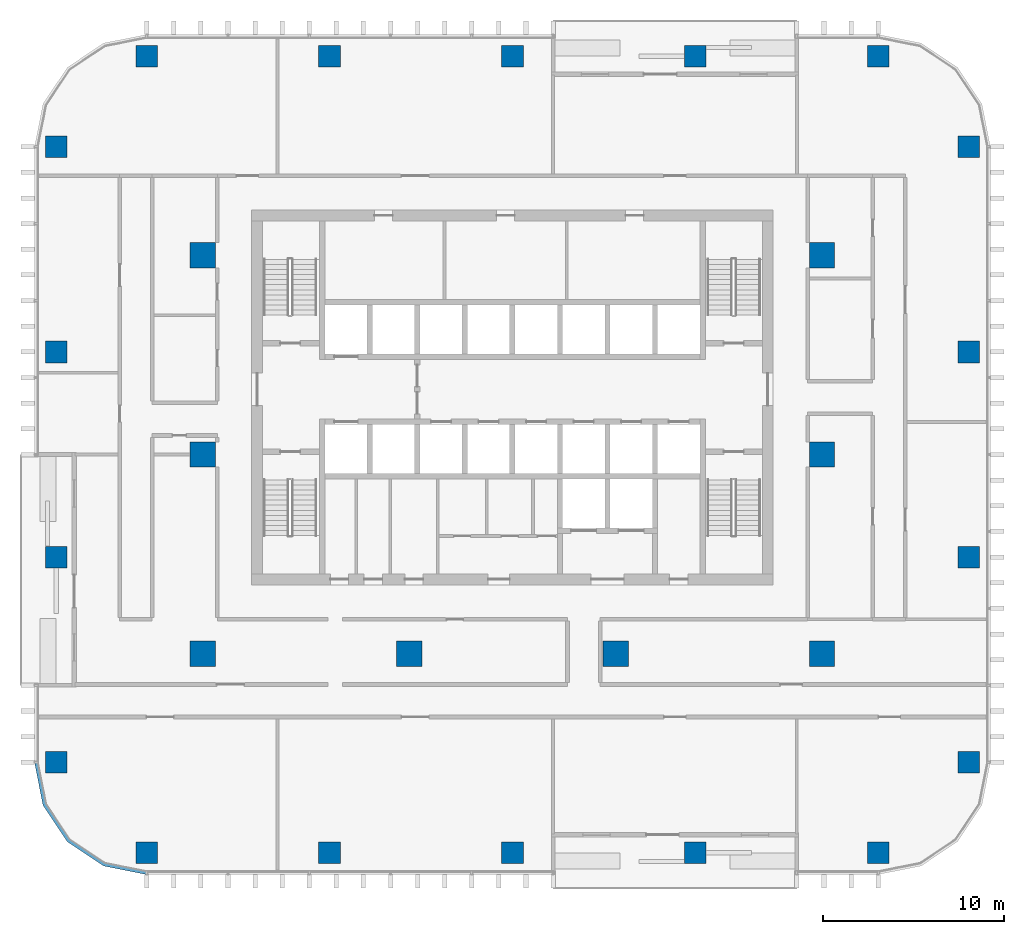
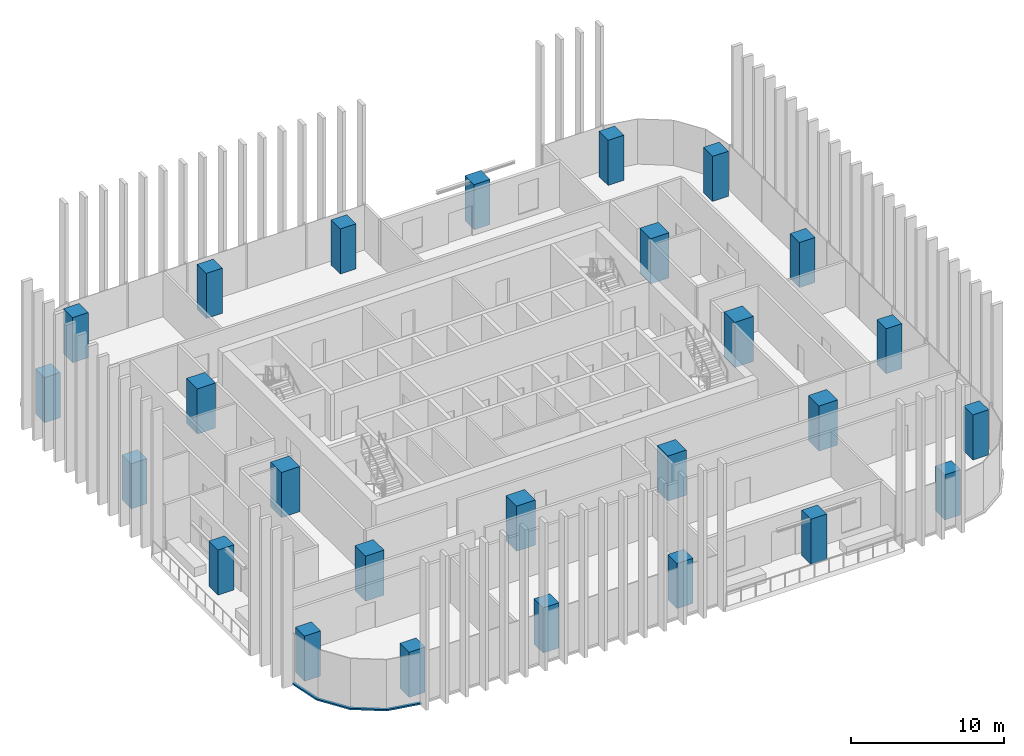
# One storey, part 1 of 16: 26 columns, 1 member, 1 element without a shape of its own.
"""IFC4 building model written with IfcOpenShell, lengths in metres."""

from ifc_helpers import new_model, si_unit, direction, frame, origin, origin_2d, place, context, subcontext, project, spatial, polyline, rectangle, outline, extrude, material, material_profile, profile_set, type_object, element, aggregate, save


model = new_model("IFC4")

# Units and contexts
model_context = context("Model", 3, precision=1e-05, world=origin(), true_north=direction((0.0, 1.0)))
body_context = subcontext(model_context, "Body", "Model", "MODEL_VIEW")
ifc_project = project(units=[si_unit("LENGTHUNIT", "METRE"), si_unit("AREAUNIT", "SQUARE_METRE"), si_unit("VOLUMEUNIT", "CUBIC_METRE"), si_unit("PLANEANGLEUNIT", "RADIAN"), si_unit("MASSUNIT", "GRAM", prefix="KILO")], contexts=[model_context])

# Site, building, storey
site_placement = place(None, origin())
site = spatial("IfcSite", under=ifc_project, at=site_placement, CompositionType="ELEMENT")
building_placement = place(site_placement, origin())
building = spatial("IfcBuilding", under=site, at=building_placement, Name="Mopane Tessera Tower", CompositionType="ELEMENT")
storey_placement = place(building_placement, frame((0.0, 0.0, 193.0)))
storey = spatial("IfcBuildingStorey", under=building, at=storey_placement, Name="L40", CompositionType="ELEMENT", Elevation=193.0)

# Columns
ifc_material_1 = material(Name="Concrete C50/60", Category="concrete")
ifc_material_profile_1 = material_profile(ifc_material_1, rectangle(XDim=1.39990234375, YDim=1.39990234375, at=origin_2d()))
ifc_profile_set_1 = profile_set([ifc_material_profile_1], Name="Concrete C50/60")
column_type_1 = type_object("IfcColumnType", Name="Interior column 1400 x 1400 C50/60", PredefinedType="COLUMN", material=ifc_profile_set_1)
for number, where, z_axis, x_axis, name in (
    (1, (-17.10009765625, -11.0, 0.0), (0.0, 0.0, 1.0), (1.0, 0.0, 0.0), "Interior column I1A L40"),
    (2, (-17.10009765625, 0.0, 0.0), (0.0, 0.0, 1.0), (1.0, 0.0, 0.0), "Interior column I1B L40"),
    (3, (-17.10009765625, 11.0, 0.0), (0.0, 0.0, 1.0), (1.0, 0.0, 0.0), "Interior column I1C L40"),
    (4, (-5.699951171875, -11.0, 0.0), (0.0, 0.0, 1.0), (1.0, 0.0, 0.0), "Interior column I2A L40"),
    (5, (5.699951171875, -11.0, 0.0), (0.0, 0.0, 1.0), (1.0, 0.0, 0.0), "Interior column I3A L40"),
    (6, (17.10009765625, -11.0, 0.0), (0.0, 0.0, 1.0), (1.0, 0.0, 0.0), "Interior column I4A L40"),
    (7, (17.10009765625, 0.0, 0.0), (0.0, 0.0, 1.0), (1.0, 0.0, 0.0), "Interior column I4B L40"),
    (8, (17.10009765625, 11.0, 0.0), (0.0, 0.0, 1.0), (1.0, 0.0, 0.0), "Interior column I4C L40"),
):
    element("IfcColumn", number, at=place(storey_placement, frame(where, z_axis=z_axis, x_axis=x_axis)), inside=storey, type_object=column_type_1, Name=name, PredefinedType="COLUMN", context=body_context, shape_type="SweptSolid", body=[
        extrude(rectangle(XDim=1.39990234375, YDim=1.39990234375, at=origin_2d()), origin(), (0.0, 0.0, 1.0), 3.60009765625),
    ])
ifc_material_2 = material(Name="Concrete C50/60", Category="concrete")
ifc_material_profile_2 = material_profile(ifc_material_2, rectangle(XDim=1.199951171875, YDim=1.199951171875, at=origin_2d()))
ifc_profile_set_2 = profile_set([ifc_material_profile_2], Name="Concrete C50/60")
column_type_2 = type_object("IfcColumnType", Name="Ring column 1200 x 1200 C50/60", PredefinedType="COLUMN", material=ifc_profile_set_2)
for number, where, z_axis, x_axis, name in (
    (9, (-20.199951171875, -22.0, 0.0), (0.0, 0.0, 1.0), (1.0, 0.0, 0.0), "Ring column S0 L40"),
    (10, (-10.10009765625, -22.0, 0.0), (0.0, 0.0, 1.0), (1.0, 0.0, 0.0), "Ring column S1 L40"),
    (11, (0.0, -22.0, 0.0), (0.0, 0.0, 1.0), (1.0, 0.0, 0.0), "Ring column S2 L40"),
    (12, (10.10009765625, -22.0, 0.0), (0.0, 0.0, 1.0), (1.0, 0.0, 0.0), "Ring column S3 L40"),
    (13, (20.199951171875, -22.0, 0.0), (0.0, 0.0, 1.0), (1.0, 0.0, 0.0), "Ring column S4 L40"),
    (14, (25.199951171875, -17.0, 0.0), (0.0, 0.0, 1.0), (1.0, 0.0, 0.0), "Ring column E0 L40"),
    (15, (25.199951171875, -5.666748046875, 0.0), (0.0, 0.0, 1.0), (1.0, 0.0, 0.0), "Ring column E1 L40"),
    (16, (25.199951171875, 5.666748046875, 0.0), (0.0, 0.0, 1.0), (1.0, 0.0, 0.0), "Ring column E2 L40"),
    (17, (25.199951171875, 17.0, 0.0), (0.0, 0.0, 1.0), (1.0, 0.0, 0.0), "Ring column E3 L40"),
    (18, (20.199951171875, 22.0, 0.0), (0.0, 0.0, 1.0), (1.0, 0.0, 0.0), "Ring column N0 L40"),
    (19, (10.10009765625, 22.0, 0.0), (0.0, 0.0, 1.0), (1.0, 0.0, 0.0), "Ring column N1 L40"),
    (20, (0.0, 22.0, 0.0), (0.0, 0.0, 1.0), (1.0, 0.0, 0.0), "Ring column N2 L40"),
    (21, (-10.10009765625, 22.0, 0.0), (0.0, 0.0, 1.0), (1.0, 0.0, 0.0), "Ring column N3 L40"),
    (22, (-20.199951171875, 22.0, 0.0), (0.0, 0.0, 1.0), (1.0, 0.0, 0.0), "Ring column N4 L40"),
    (23, (-25.199951171875, 17.0, 0.0), (0.0, 0.0, 1.0), (1.0, 0.0, 0.0), "Ring column W0 L40"),
    (24, (-25.199951171875, 5.666748046875, 0.0), (0.0, 0.0, 1.0), (1.0, 0.0, 0.0), "Ring column W1 L40"),
    (25, (-25.199951171875, -5.666748046875, 0.0), (0.0, 0.0, 1.0), (1.0, 0.0, 0.0), "Ring column W2 L40"),
    (26, (-25.199951171875, -17.0, 0.0), (0.0, 0.0, 1.0), (1.0, 0.0, 0.0), "Ring column W3 L40"),
):
    element("IfcColumn", number, at=place(storey_placement, frame(where, z_axis=z_axis, x_axis=x_axis)), inside=storey, type_object=column_type_2, Name=name, PredefinedType="COLUMN", context=body_context, shape_type="SweptSolid", body=[
        extrude(rectangle(XDim=1.199951171875, YDim=1.199951171875, at=origin_2d()), origin(), (0.0, 0.0, 1.0), 3.60009765625),
    ])

# Curtain wall, member
ifc_material_3 = material(Name="Aluminium frame", Category="aluminium")
curtain_wall_type = type_object("IfcCurtainWallType", Name="Unitised curtain wall", PredefinedType="NOTDEFINED", material=ifc_material_3)
curtain_wall_placement = place(storey_placement, origin())
curtain_wall = element("IfcCurtainWall", 27, at=curtain_wall_placement, inside=storey, type_object=curtain_wall_type, Name="e:cw:L40:CW", PredefinedType="NOTDEFINED")
ifc_material_4 = material(Name="Aluminium frame", Category="aluminium")
ifc_material_profile_3 = material_profile(ifc_material_4, rectangle(XDim=0.199951171875, YDim=0.1201171875, at=origin_2d()))
ifc_profile_set_3 = profile_set([ifc_material_profile_3], Name="Aluminium frame")
member_type = type_object("IfcMemberType", Name="Aluminium transom 200 x 120", PredefinedType="USERDEFINED", material=ifc_profile_set_3)
member_placement = place(storey_placement, frame((0.0, 0.0, -0.39990234375)))
member = element("IfcMember", 28, at=member_placement, type_object=member_type, Name="e:cw:L40:CW:tr", ObjectType="TRANSOM", PredefinedType="USERDEFINED", context=body_context, shape_type="SweptSolid", body=[
    extrude(outline(polyline([(-26.199951171875, -17.0), (-25.7431640625, -19.296142578125), (-24.442626953125, -21.24267578125), (-22.49609375, -22.543212890625), (-20.199951171875, -23.0), (-20.199951171875, -23.199951171875), (-22.57275390625, -22.72802734375), (-24.583984375, -21.384033203125), (-25.927978515625, -19.37255859375), (-26.39990234375, -17.0), (-26.199951171875, -17.0)])), origin(), (0.0, 0.0, 1.0), 0.119873046875),
])
aggregate(curtain_wall, [member])

save(model, "model.ifc")
